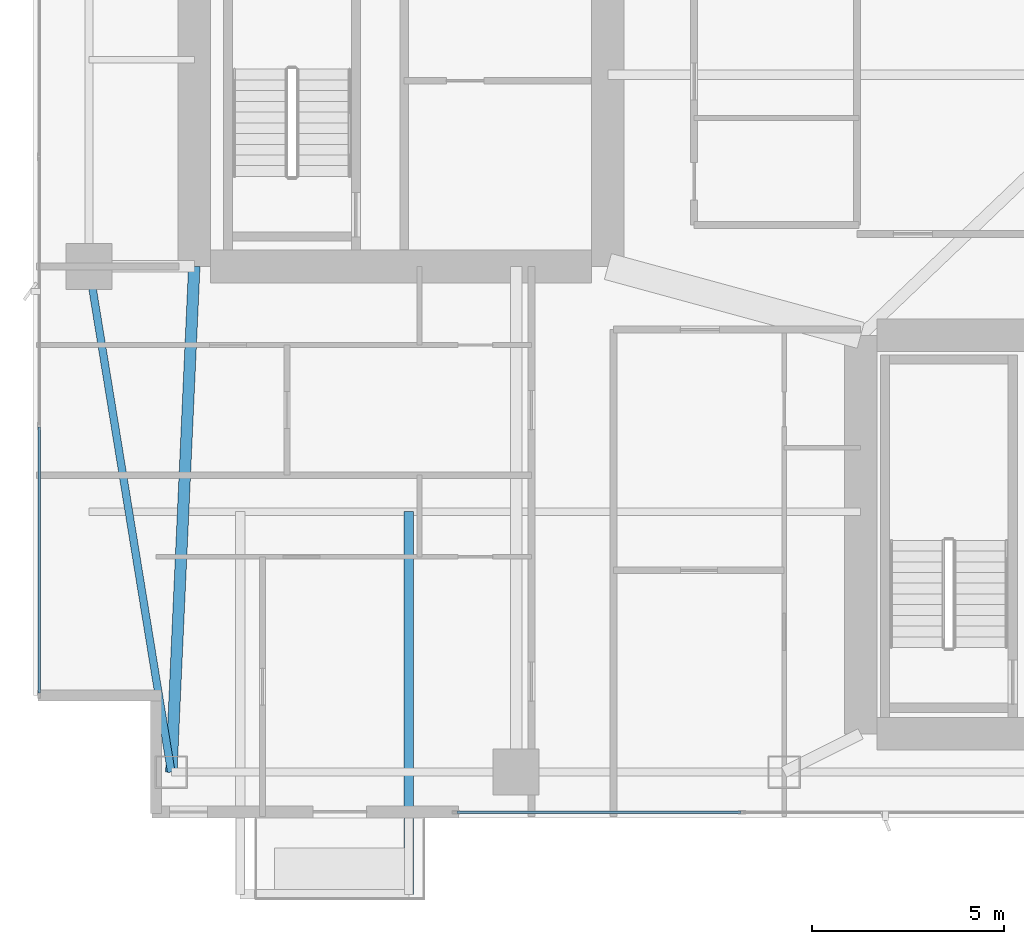
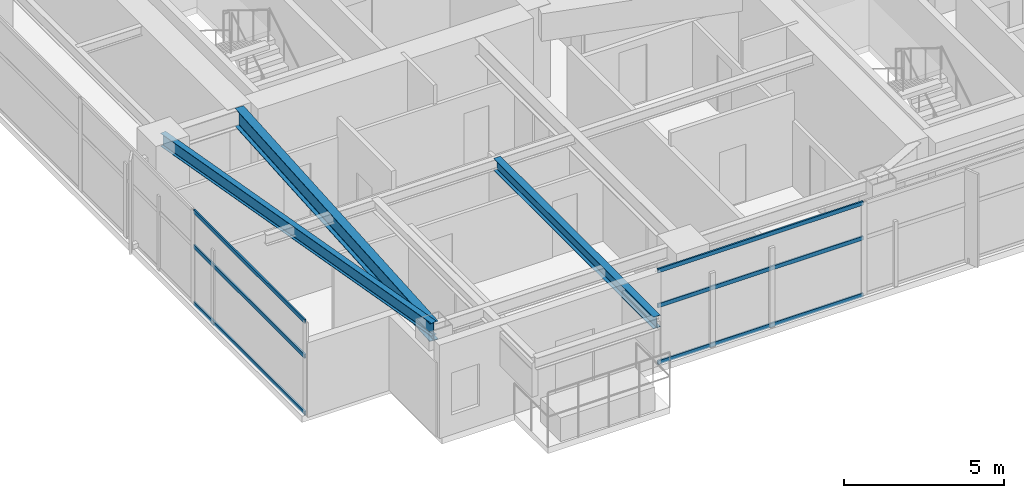
# One storey, part 3 of 28: 6 members, 3 beams, 2 elements without a shape of their own.
"""IFC4 building model written with IfcOpenShell, lengths in metres."""

from ifc_helpers import new_model, si_unit, direction, frame, origin, origin_2d, place, context, subcontext, project, spatial, hollow_rectangle, i_section, extrude, material, layer, layer_set, material_profile, profile_set, type_object, element, aggregate, save


model = new_model("IFC4")

# Units and contexts
model_context = context("Model", 3, precision=1e-05, world=origin(), true_north=direction((0.0, 1.0)))
body_context = subcontext(model_context, "Body", "Model", "MODEL_VIEW")
ifc_project = project(units=[si_unit("LENGTHUNIT", "METRE"), si_unit("AREAUNIT", "SQUARE_METRE"), si_unit("VOLUMEUNIT", "CUBIC_METRE"), si_unit("PLANEANGLEUNIT", "RADIAN"), si_unit("MASSUNIT", "GRAM", prefix="KILO")], contexts=[model_context])

# Site, building, storey
site_placement = place(None, origin())
site = spatial("IfcSite", under=ifc_project, at=site_placement, CompositionType="ELEMENT")
building_placement = place(site_placement, origin())
building = spatial("IfcBuilding", under=site, at=building_placement, Name="Calvorn Quay Hotel", CompositionType="ELEMENT")
storey_placement = place(building_placement, frame((0.0, 0.0, 108.800048828125)))
storey = spatial("IfcBuildingStorey", under=building, at=storey_placement, Name="L26", CompositionType="ELEMENT", Elevation=108.800048828125)

# Beams
ifc_material_1 = material(Name="Steel Q355B", Category="steel")
ifc_material_profile_1 = material_profile(ifc_material_1, i_section(OverallWidth=0.25, OverallDepth=0.449951171875, WebThickness=0.011962890625, FlangeThickness=0.01611328125, FilletRadius=0.01611328125, at=origin_2d()), Name="HN450x250x12x16")
ifc_profile_set_1 = profile_set([ifc_material_profile_1], Name="Steel Q355B")
beam_type_1 = type_object("IfcBeamType", Name="BM-CANT-BALC", PredefinedType="BEAM", material=ifc_profile_set_1)
beam_1_placement = place(storey_placement, frame((9.800048828125, 10.39990234375, 3.31494140625), z_axis=(0.0, -1.0, 0.0), x_axis=(1.0, 0.0, 0.0)))
element("IfcBeam", 1, at=beam_1_placement, inside=storey, type_object=beam_type_1, Name="Cantilever Balcony Beam BCB-L27-2B", PredefinedType="BEAM", context=body_context, shape_type="SweptSolid", body=[
    extrude(i_section(OverallWidth=0.25, OverallDepth=0.449951171875, WebThickness=0.011962890625, FlangeThickness=0.01611328125, FilletRadius=0.01611328125, at=origin_2d()), origin(), (0.0, 0.0, 1.0), 9.989990234375),
])
ifc_material_2 = material(Name="Steel Q390GJC", Category="steel")
ifc_material_profile_2 = material_profile(ifc_material_2, i_section(OverallWidth=0.300048828125, OverallDepth=0.699951171875, WebThickness=0.012939453125, FlangeThickness=0.02392578125, FilletRadius=0.02392578125, at=origin_2d()), Name="HN700x300x13x24")
ifc_profile_set_2 = profile_set([ifc_material_profile_2], Name="Steel Q390GJC")
beam_type_2 = type_object("IfcBeamType", Name="BM-GIRD-MAIN", PredefinedType="BEAM", material=ifc_profile_set_2)
beam_2_placement = place(storey_placement, frame((3.60009765625, 3.60009765625, 3.18994140625), z_axis=(0.045396765494, 0.998969035397, 0.0), x_axis=(-0.998969035397, 0.045396765494, 0.0)))
element("IfcBeam", 2, at=beam_2_placement, inside=storey, type_object=beam_type_2, Name="Beam BG-L26-W0", PredefinedType="BEAM", context=body_context, shape_type="SweptSolid", body=[
    extrude(i_section(OverallWidth=0.300048828125, OverallDepth=0.699951171875, WebThickness=0.012939453125, FlangeThickness=0.02392578125, FilletRadius=0.02392578125, at=origin_2d()), origin(), (0.0, 0.0, 1.0), 13.213623046875),
])
ifc_material_3 = material(Name="Steel Q355B", Category="steel")
ifc_material_profile_3 = material_profile(ifc_material_3, i_section(OverallWidth=0.199951171875, OverallDepth=0.5, WebThickness=0.010009765625, FlangeThickness=0.01611328125, FilletRadius=0.01611328125, at=origin_2d()), Name="HN500x200x10x16")
ifc_profile_set_3 = profile_set([ifc_material_profile_3], Name="Steel Q355B")
beam_type_3 = type_object("IfcBeamType", Name="BM-SPANDREL-Z1", PredefinedType="SPANDREL", material=ifc_profile_set_3)
beam_3_placement = place(storey_placement, frame((3.60009765625, 3.60009765625, 3.2900390625), z_axis=(-0.16077155054, 0.986991645627, 0.0), x_axis=(-0.986991645627, -0.16077155054, 0.0)))
element("IfcBeam", 3, at=beam_3_placement, inside=storey, type_object=beam_type_3, Name="Beam BSP-L26-W1", PredefinedType="SPANDREL", context=body_context, shape_type="SweptSolid", body=[
    extrude(i_section(OverallWidth=0.199951171875, OverallDepth=0.5, WebThickness=0.010009765625, FlangeThickness=0.01611328125, FilletRadius=0.01611328125, at=origin_2d()), origin(), (0.0, 0.0, 1.0), 13.3740234375),
])

# Curtain wall, members
ifc_material_4 = material(Name="Pale Anodised Aluminium and Low-E Glass", Category="aluminium")
ifc_layer = layer(ifc_material_4, 0.219970703125)
ifc_layer_set = layer_set([ifc_layer], Name="CW-SYS-Z2")
curtain_wall_type = type_object("IfcCurtainWallType", Name="CW-SYS-Z2", PredefinedType="NOTDEFINED", material=ifc_layer_set)
curtain_wall_1_placement = place(storey_placement, origin())
curtain_wall_1 = element("IfcCurtainWall", 4, at=curtain_wall_1_placement, inside=storey, type_object=curtain_wall_type, Name="Tower West Curtain Wall (L26)", PredefinedType="NOTDEFINED")
ifc_material_5 = material(Name="Pale Anodised Aluminium 6063-T6", Category="aluminium")
ifc_material_profile_4 = material_profile(ifc_material_5, hollow_rectangle(XDim=0.06005859375, YDim=0.14990234375, WallThickness=0.00341796875, at=origin_2d()), Name="ALU-T150x60x3.5")
ifc_profile_set_4 = profile_set([ifc_material_profile_4], Name="Pale Anodised Aluminium 6063-T6")
member_type = type_object("IfcMemberType", Name="CW-SYS-Z2-TRN", PredefinedType="USERDEFINED", material=ifc_profile_set_4)
member_1_placement = place(storey_placement, frame((0.14990234375, 5.659912109375, 0.030029296875), z_axis=(0.0, 1.0, 0.0), x_axis=(-1.0, 0.0, 0.0)))
member_1 = element("IfcMember", 5, at=member_1_placement, type_object=member_type, Name="CW-L26-W transom 1.1", ObjectType="TRANSOM", PredefinedType="USERDEFINED", context=body_context, shape_type="SweptSolid", body=[
    extrude(hollow_rectangle(XDim=0.06005859375, YDim=0.14990234375, WallThickness=0.00341796875, at=origin_2d()), origin(), (0.0, 0.0, 1.0), 6.943359375),
])
member_2_placement = place(storey_placement, frame((0.14990234375, 5.659912109375, 2.199951171875), z_axis=(0.0, 1.0, 0.0), x_axis=(-1.0, 0.0, 0.0)))
member_2 = element("IfcMember", 6, at=member_2_placement, type_object=member_type, Name="CW-L26-W transom 1.2", ObjectType="TRANSOM", PredefinedType="USERDEFINED", context=body_context, shape_type="SweptSolid", body=[
    extrude(hollow_rectangle(XDim=0.06005859375, YDim=0.14990234375, WallThickness=0.00341796875, at=origin_2d()), origin(), (0.0, 0.0, 1.0), 6.943359375),
])
member_3_placement = place(storey_placement, frame((0.14990234375, 5.659912109375, 3.530029296875), z_axis=(0.0, 1.0, 0.0), x_axis=(-1.0, 0.0, 0.0)))
member_3 = element("IfcMember", 7, at=member_3_placement, type_object=member_type, Name="CW-L26-W transom 1.3", ObjectType="TRANSOM", PredefinedType="USERDEFINED", context=body_context, shape_type="SweptSolid", body=[
    extrude(hollow_rectangle(XDim=0.06005859375, YDim=0.14990234375, WallThickness=0.00341796875, at=origin_2d()), origin(), (0.0, 0.0, 1.0), 6.943359375),
])
aggregate(curtain_wall_1, [member_1, member_2, member_3])

curtain_wall_2_placement = place(storey_placement, origin())
curtain_wall_2 = element("IfcCurtainWall", 8, at=curtain_wall_2_placement, inside=storey, type_object=curtain_wall_type, Name="Tower South Waterfront Curtain Wall (L26)", PredefinedType="NOTDEFINED")
member_4_placement = place(storey_placement, frame((11.06005859375, 2.550048828125, 0.030029296875), z_axis=(1.0, 0.0, 0.0), x_axis=(0.0, 1.0, 0.0)))
member_4 = element("IfcMember", 9, at=member_4_placement, type_object=member_type, Name="CW-L26-S transom 1.1", ObjectType="TRANSOM", PredefinedType="USERDEFINED", context=body_context, shape_type="SweptSolid", body=[
    extrude(hollow_rectangle(XDim=0.06005859375, YDim=0.14990234375, WallThickness=0.00341796875, at=origin_2d()), origin(), (0.0, 0.0, 1.0), 7.409912109375),
])
member_5_placement = place(storey_placement, frame((11.06005859375, 2.550048828125, 2.199951171875), z_axis=(1.0, 0.0, 0.0), x_axis=(0.0, 1.0, 0.0)))
member_5 = element("IfcMember", 10, at=member_5_placement, type_object=member_type, Name="CW-L26-S transom 1.2", ObjectType="TRANSOM", PredefinedType="USERDEFINED", context=body_context, shape_type="SweptSolid", body=[
    extrude(hollow_rectangle(XDim=0.06005859375, YDim=0.14990234375, WallThickness=0.00341796875, at=origin_2d()), origin(), (0.0, 0.0, 1.0), 7.409912109375),
])
member_6_placement = place(storey_placement, frame((11.06005859375, 2.550048828125, 3.530029296875), z_axis=(1.0, 0.0, 0.0), x_axis=(0.0, 1.0, 0.0)))
member_6 = element("IfcMember", 11, at=member_6_placement, type_object=member_type, Name="CW-L26-S transom 1.3", ObjectType="TRANSOM", PredefinedType="USERDEFINED", context=body_context, shape_type="SweptSolid", body=[
    extrude(hollow_rectangle(XDim=0.06005859375, YDim=0.14990234375, WallThickness=0.00341796875, at=origin_2d()), origin(), (0.0, 0.0, 1.0), 7.409912109375),
])
aggregate(curtain_wall_2, [member_4, member_5, member_6])

save(model, "model.ifc")
